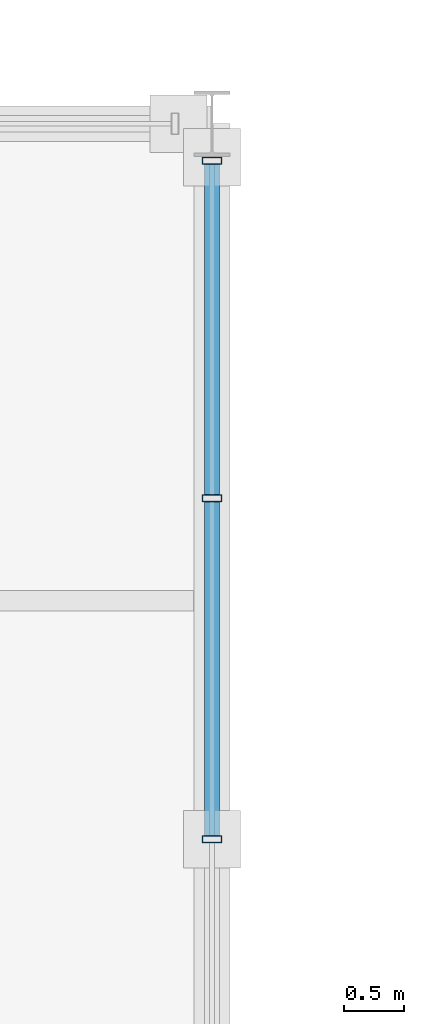
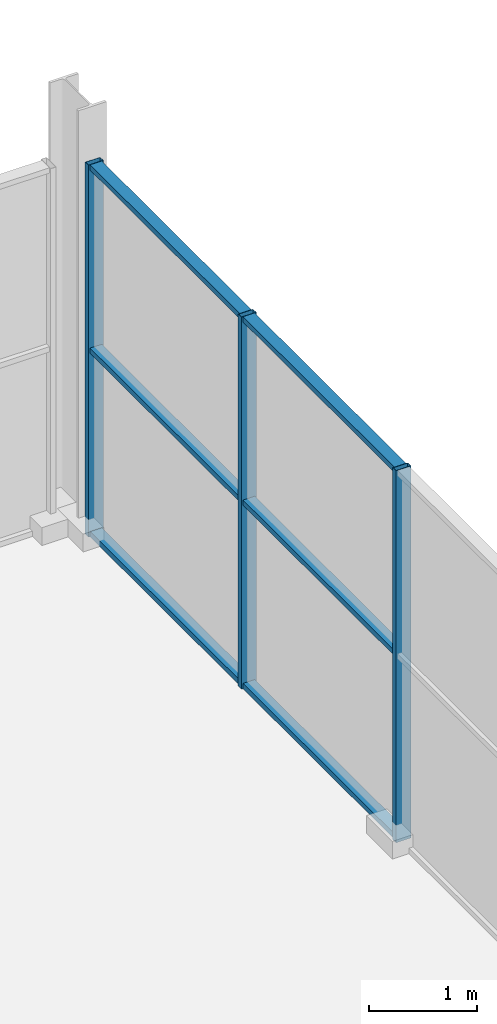
# One storey, part 86 of 159: 9 members, 1 element without a shape of its own.
"""IFC4 building model written with IfcOpenShell, lengths in metres."""

from ifc_helpers import new_model, si_unit, direction, frame, origin, origin_2d, place, context, subcontext, project, spatial, hollow_rectangle, extrude, material, material_profile, profile_set, type_object, element, aggregate, save


model = new_model("IFC4")

# Units and contexts
model_context = context("Model", 3, precision=1e-05, world=origin(), true_north=direction((0.0, 1.0)))
body_context = subcontext(model_context, "Body", "Model", "MODEL_VIEW")
ifc_project = project(units=[si_unit("LENGTHUNIT", "METRE"), si_unit("AREAUNIT", "SQUARE_METRE"), si_unit("VOLUMEUNIT", "CUBIC_METRE"), si_unit("PLANEANGLEUNIT", "RADIAN"), si_unit("MASSUNIT", "GRAM", prefix="KILO")], contexts=[model_context])

# Site, building, storey
site_placement = place(None, origin())
site = spatial("IfcSite", under=ifc_project, at=site_placement, CompositionType="ELEMENT")
building_placement = place(site_placement, origin())
building = spatial("IfcBuilding", under=site, at=building_placement, Name="Merenkruunu Market Hall", CompositionType="ELEMENT")
storey_placement = place(building_placement, frame((0.0, 0.0, 5.39990234375)))
storey = spatial("IfcBuildingStorey", under=building, at=storey_placement, Name="L01", CompositionType="ELEMENT", Elevation=5.39990234375)

# Curtain wall, members
ifc_material = material(Name="Powder-coated aluminium", Category="aluminium")
curtain_wall_type = type_object("IfcCurtainWallType", Name="Glazed Curtain Wall CW05", PredefinedType="USERDEFINED", material=ifc_material)
curtain_wall_placement = place(storey_placement, origin())
curtain_wall = element("IfcCurtainWall", 1, at=curtain_wall_placement, inside=storey, type_object=curtain_wall_type, Name="CW-L01-CWM01-137", ObjectType="GLAZED_FACADE", PredefinedType="USERDEFINED")
ifc_material_profile_1 = material_profile(ifc_material, hollow_rectangle(XDim=0.06005859375, YDim=0.159912109375, WallThickness=0.00390625, at=origin_2d()), Name="ALU 60x160x4")
ifc_profile_set_1 = profile_set([ifc_material_profile_1], Name="Powder-coated aluminium")
member_type_1 = type_object("IfcMemberType", Name="Curtain Wall Mullion CWM01", PredefinedType="MULLION", material=ifc_profile_set_1)
member_1_placement = place(storey_placement, frame((57.60009765625, 111.2900390625, 0.0), z_axis=(0.0, 0.0, 1.0), x_axis=(0.0, -1.0, 0.0)))
member_1 = element("IfcMember", 2, at=member_1_placement, type_object=member_type_1, Name="CW05 mullion 1", PredefinedType="MULLION", context=body_context, shape_type="SweptSolid", body=[
    extrude(hollow_rectangle(XDim=0.06005859375, YDim=0.159912109375, WallThickness=0.00390625, at=origin_2d()), origin(), (0.0, 0.0, 1.0), 4.2001953125),
])
member_2_placement = place(storey_placement, frame((57.60009765625, 108.4599609375, 0.0), z_axis=(0.0, 0.0, 1.0), x_axis=(0.0, -1.0, 0.0)))
member_2 = element("IfcMember", 3, at=member_2_placement, type_object=member_type_1, Name="CW05 mullion 2", PredefinedType="MULLION", context=body_context, shape_type="SweptSolid", body=[
    extrude(hollow_rectangle(XDim=0.06005859375, YDim=0.159912109375, WallThickness=0.00390625, at=origin_2d()), origin(), (0.0, 0.0, 1.0), 4.2001953125),
])
member_3_placement = place(storey_placement, frame((57.60009765625, 105.60009765625, 0.0), z_axis=(0.0, 0.0, 1.0), x_axis=(0.0, -1.0, 0.0)))
member_3 = element("IfcMember", 4, at=member_3_placement, type_object=member_type_1, Name="CW05 mullion 3", PredefinedType="MULLION", context=body_context, shape_type="SweptSolid", body=[
    extrude(hollow_rectangle(XDim=0.06005859375, YDim=0.159912109375, WallThickness=0.00390625, at=origin_2d()), origin(), (0.0, 0.0, 1.0), 4.2001953125),
])
ifc_material_profile_2 = material_profile(ifc_material, hollow_rectangle(XDim=0.06005859375, YDim=0.125, WallThickness=0.00390625, at=origin_2d()), Name="ALU 60x125x4")
ifc_profile_set_2 = profile_set([ifc_material_profile_2], Name="Powder-coated aluminium")
member_type_2 = type_object("IfcMemberType", Name="Curtain Wall Transom CWT01", PredefinedType="USERDEFINED", material=ifc_profile_set_2)
member_4_placement = place(storey_placement, frame((57.60009765625, 111.260009765625, 0.030029296875), z_axis=(0.0, -1.0, 0.0), x_axis=(0.0, 0.0, 1.0)))
member_4 = element("IfcMember", 5, at=member_4_placement, type_object=member_type_2, Name="CW05 transom 1.1", ObjectType="TRANSOM", PredefinedType="USERDEFINED", context=body_context, shape_type="SweptSolid", body=[
    extrude(hollow_rectangle(XDim=0.06005859375, YDim=0.125, WallThickness=0.00390625, at=origin_2d()), origin(), (0.0, 0.0, 1.0), 2.77001953125),
])
member_5_placement = place(storey_placement, frame((57.60009765625, 111.260009765625, 2.10009765625), z_axis=(0.0, -1.0, 0.0), x_axis=(0.0, 0.0, 1.0)))
member_5 = element("IfcMember", 6, at=member_5_placement, type_object=member_type_2, Name="CW05 transom 1.2", ObjectType="TRANSOM", PredefinedType="USERDEFINED", context=body_context, shape_type="SweptSolid", body=[
    extrude(hollow_rectangle(XDim=0.06005859375, YDim=0.125, WallThickness=0.00390625, at=origin_2d()), origin(), (0.0, 0.0, 1.0), 2.77001953125),
])
member_6_placement = place(storey_placement, frame((57.60009765625, 111.260009765625, 4.170166015625), z_axis=(0.0, -1.0, 0.0), x_axis=(0.0, 0.0, 1.0)))
member_6 = element("IfcMember", 7, at=member_6_placement, type_object=member_type_2, Name="CW05 transom 1.3", ObjectType="TRANSOM", PredefinedType="USERDEFINED", context=body_context, shape_type="SweptSolid", body=[
    extrude(hollow_rectangle(XDim=0.06005859375, YDim=0.125, WallThickness=0.00390625, at=origin_2d()), origin(), (0.0, 0.0, 1.0), 2.77001953125),
])
member_7_placement = place(storey_placement, frame((57.60009765625, 108.429931640625, 0.030029296875), z_axis=(0.0, -1.0, 0.0), x_axis=(0.0, 0.0, 1.0)))
member_7 = element("IfcMember", 8, at=member_7_placement, type_object=member_type_2, Name="CW05 transom 2.1", ObjectType="TRANSOM", PredefinedType="USERDEFINED", context=body_context, shape_type="SweptSolid", body=[
    extrude(hollow_rectangle(XDim=0.06005859375, YDim=0.125, WallThickness=0.00390625, at=origin_2d()), origin(), (0.0, 0.0, 1.0), 2.800048828125),
])
member_8_placement = place(storey_placement, frame((57.60009765625, 108.429931640625, 2.10009765625), z_axis=(0.0, -1.0, 0.0), x_axis=(0.0, 0.0, 1.0)))
member_8 = element("IfcMember", 9, at=member_8_placement, type_object=member_type_2, Name="CW05 transom 2.2", ObjectType="TRANSOM", PredefinedType="USERDEFINED", context=body_context, shape_type="SweptSolid", body=[
    extrude(hollow_rectangle(XDim=0.06005859375, YDim=0.125, WallThickness=0.00390625, at=origin_2d()), origin(), (0.0, 0.0, 1.0), 2.800048828125),
])
member_9_placement = place(storey_placement, frame((57.60009765625, 108.429931640625, 4.170166015625), z_axis=(0.0, -1.0, 0.0), x_axis=(0.0, 0.0, 1.0)))
member_9 = element("IfcMember", 10, at=member_9_placement, type_object=member_type_2, Name="CW05 transom 2.3", ObjectType="TRANSOM", PredefinedType="USERDEFINED", context=body_context, shape_type="SweptSolid", body=[
    extrude(hollow_rectangle(XDim=0.06005859375, YDim=0.125, WallThickness=0.00390625, at=origin_2d()), origin(), (0.0, 0.0, 1.0), 2.800048828125),
])
aggregate(curtain_wall, [member_1, member_2, member_3, member_4, member_5, member_6, member_7, member_8, member_9])

save(model, "model.ifc")
